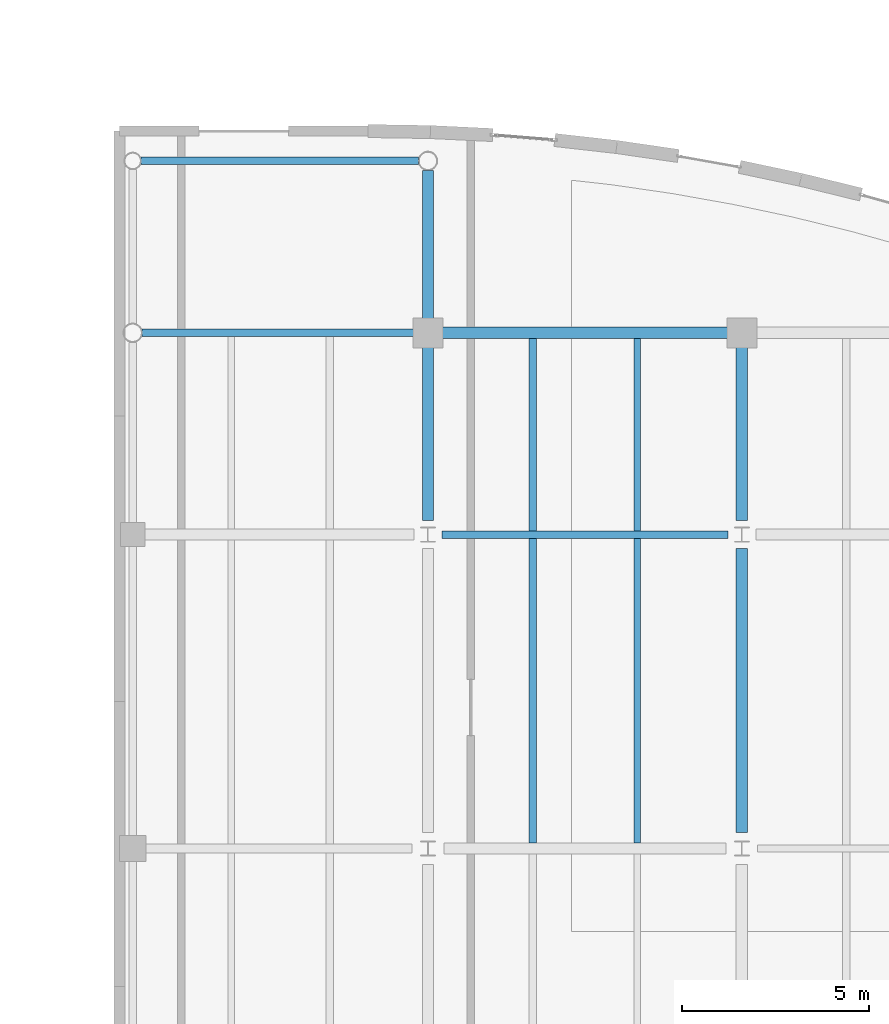
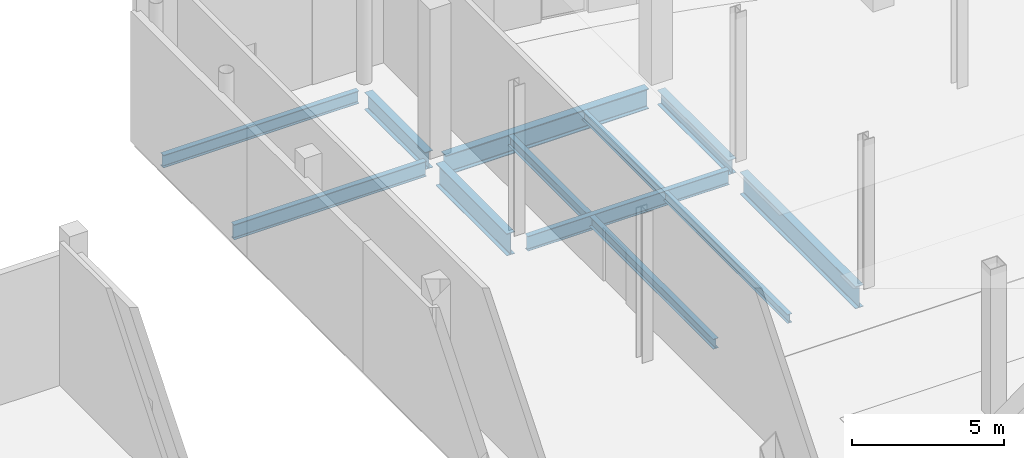
# One storey, part 24 of 85: 12 beams.
"""IFC4 building model written with IfcOpenShell, lengths in metres."""

from ifc_helpers import new_model, si_unit, direction, frame, origin, origin_2d, place, context, subcontext, project, spatial, i_section, extrude, material, material_profile, profile_set, type_object, element, save


model = new_model("IFC4")

# Units and contexts
model_context = context("Model", 3, precision=1e-05, world=origin(), true_north=direction((0.0, 1.0)))
body_context = subcontext(model_context, "Body", "Model", "MODEL_VIEW")
ifc_project = project(units=[si_unit("LENGTHUNIT", "METRE"), si_unit("AREAUNIT", "SQUARE_METRE"), si_unit("VOLUMEUNIT", "CUBIC_METRE"), si_unit("PLANEANGLEUNIT", "RADIAN"), si_unit("MASSUNIT", "GRAM", prefix="KILO"), si_unit("THERMODYNAMICTEMPERATUREUNIT", "KELVIN")], contexts=[model_context])

# Site, building, storey
site_placement = place(None, origin())
site = spatial("IfcSite", under=ifc_project, at=site_placement, CompositionType="ELEMENT")
building_placement = place(site_placement, origin())
building = spatial("IfcBuilding", under=site, at=building_placement, Name="Lustrewick Department Store", CompositionType="ELEMENT")
storey_placement = place(building_placement, origin())
storey = spatial("IfcBuildingStorey", under=building, at=storey_placement, Name="L01", CompositionType="ELEMENT", Elevation=0.0)

# Beams
ifc_material_1 = material(Name="Structural steel Q355B", Category="steel")
ifc_material_profile_1 = material_profile(ifc_material_1, i_section(OverallWidth=0.199951171875, OverallDepth=0.39990234375, WebThickness=0.008056640625, FlangeThickness=0.012939453125, FilletRadius=0.013916015625, at=origin_2d()), Name="HN 400x200x8x13")
ifc_profile_set_1 = profile_set([ifc_material_profile_1], Name="Structural steel Q355B")
beam_type_1 = type_object("IfcBeamType", Name="B05", PredefinedType="JOIST", material=ifc_profile_set_1)
beam_1_placement = place(storey_placement, frame((120.39990234375, 92.551025390625, -0.469970703125), z_axis=(0.0, 1.0, 0.0), x_axis=(-1.0, 0.0, 0.0)))
element("IfcBeam", 1, at=beam_1_placement, inside=storey, type_object=beam_type_1, Name="L01 V4 Secondary Joist B05", PredefinedType="JOIST", context=body_context, shape_type="SweptSolid", body=[
    extrude(i_section(OverallWidth=0.199951171875, OverallDepth=0.39990234375, WebThickness=0.008056640625, FlangeThickness=0.012939453125, FilletRadius=0.013916015625, at=origin_2d()), origin(), (0.0, 0.0, 1.0), 8.1494140625),
])
beam_2_placement = place(storey_placement, frame((120.39990234375, 100.8994140625, -0.469970703125), z_axis=(0.0, 1.0, 0.0), x_axis=(-1.0, 0.0, 0.0)))
element("IfcBeam", 2, at=beam_2_placement, inside=storey, type_object=beam_type_1, Name="L01 V4 Secondary Joist B05", PredefinedType="JOIST", context=body_context, shape_type="SweptSolid", body=[
    extrude(i_section(OverallWidth=0.199951171875, OverallDepth=0.39990234375, WebThickness=0.008056640625, FlangeThickness=0.012939453125, FilletRadius=0.013916015625, at=origin_2d()), origin(), (0.0, 0.0, 1.0), 5.149658203125),
])
ifc_material_profile_2 = material_profile(ifc_material_1, i_section(OverallWidth=0.175048828125, OverallDepth=0.35009765625, WebThickness=0.007080078125, FlangeThickness=0.010986328125, FilletRadius=0.012939453125, at=origin_2d()), Name="HN 350x175x7x11")
ifc_profile_set_2 = profile_set([ifc_material_profile_2], Name="Structural steel Q355B")
beam_type_2 = type_object("IfcBeamType", Name="B09", PredefinedType="JOIST", material=ifc_profile_set_2)
beam_3_placement = place(storey_placement, frame((123.199951171875, 92.551025390625, -0.445068359375), z_axis=(0.0, 1.0, 0.0), x_axis=(-1.0, 0.0, 0.0)))
element("IfcBeam", 3, at=beam_3_placement, inside=storey, type_object=beam_type_2, Name="L01 V4 Secondary Joist B09", PredefinedType="JOIST", context=body_context, shape_type="SweptSolid", body=[
    extrude(i_section(OverallWidth=0.175048828125, OverallDepth=0.35009765625, WebThickness=0.007080078125, FlangeThickness=0.010986328125, FilletRadius=0.012939453125, at=origin_2d()), origin(), (0.0, 0.0, 1.0), 8.1494140625),
])
beam_4_placement = place(storey_placement, frame((123.199951171875, 100.8994140625, -0.445068359375), z_axis=(0.0, 1.0, 0.0), x_axis=(-1.0, 0.0, 0.0)))
element("IfcBeam", 4, at=beam_4_placement, inside=storey, type_object=beam_type_2, Name="L01 V4 Secondary Joist B09", PredefinedType="JOIST", context=body_context, shape_type="SweptSolid", body=[
    extrude(i_section(OverallWidth=0.175048828125, OverallDepth=0.35009765625, WebThickness=0.007080078125, FlangeThickness=0.010986328125, FilletRadius=0.012939453125, at=origin_2d()), origin(), (0.0, 0.0, 1.0), 5.149658203125),
])
ifc_material_2 = material(Name="Structural steel Q355C", Category="steel")
ifc_material_profile_3 = material_profile(ifc_material_2, i_section(OverallWidth=0.299072265625, OverallDepth=0.889892578125, WebThickness=0.014892578125, FlangeThickness=0.02294921875, FilletRadius=0.02392578125, at=origin_2d()), Name="HN 890x299x15x23")
ifc_profile_set_3 = profile_set([ifc_material_profile_3], Name="Structural steel Q355C")
beam_type_3 = type_object("IfcBeamType", Name="G03", PredefinedType="BEAM", material=ifc_profile_set_3)
beam_5_placement = place(storey_placement, frame((117.60009765625, 101.175048828125, -0.715087890625), z_axis=(0.0, 1.0, 0.0), x_axis=(-1.0, 0.0, 0.0)))
element("IfcBeam", 5, at=beam_5_placement, inside=storey, type_object=beam_type_3, Name="L01 V4 Girder G03", PredefinedType="BEAM", context=body_context, shape_type="SweptSolid", body=[
    extrude(i_section(OverallWidth=0.299072265625, OverallDepth=0.889892578125, WebThickness=0.014892578125, FlangeThickness=0.02294921875, FilletRadius=0.02392578125, at=origin_2d()), origin(), (0.0, 0.0, 1.0), 4.675048828125),
])
beam_6_placement = place(storey_placement, frame((126.0, 92.824951171875, -0.715087890625), z_axis=(0.0, 1.0, 0.0), x_axis=(-1.0, 0.0, 0.0)))
element("IfcBeam", 6, at=beam_6_placement, inside=storey, type_object=beam_type_3, Name="L01 V4 Girder G03", PredefinedType="BEAM", context=body_context, shape_type="SweptSolid", body=[
    extrude(i_section(OverallWidth=0.299072265625, OverallDepth=0.889892578125, WebThickness=0.014892578125, FlangeThickness=0.02294921875, FilletRadius=0.02392578125, at=origin_2d()), origin(), (0.0, 0.0, 1.0), 7.60009765625),
])
ifc_material_profile_4 = material_profile(ifc_material_2, i_section(OverallWidth=0.302001953125, OverallDepth=0.80810546875, WebThickness=0.01611328125, FlangeThickness=0.030029296875, FilletRadius=0.02197265625, at=origin_2d()), Name="HN 808x302x16x30")
ifc_profile_set_4 = profile_set([ifc_material_profile_4], Name="Structural steel Q355C")
beam_type_4 = type_object("IfcBeamType", Name="G04", PredefinedType="BEAM", material=ifc_profile_set_4)
beam_7_placement = place(storey_placement, frame((117.949951171875, 106.199951171875, -0.674072265625), z_axis=(1.0, 0.0, 0.0), x_axis=(0.0, 1.0, 0.0)))
element("IfcBeam", 7, at=beam_7_placement, inside=storey, type_object=beam_type_4, Name="L01 V4 Girder G04", PredefinedType="BEAM", context=body_context, shape_type="SweptSolid", body=[
    extrude(i_section(OverallWidth=0.302001953125, OverallDepth=0.80810546875, WebThickness=0.01611328125, FlangeThickness=0.030029296875, FilletRadius=0.02197265625, at=origin_2d()), origin(), (0.0, 0.0, 1.0), 7.699951171875),
])
ifc_material_profile_5 = material_profile(ifc_material_1, i_section(OverallWidth=0.300048828125, OverallDepth=0.69189453125, WebThickness=0.012939453125, FlangeThickness=0.02001953125, FilletRadius=0.02001953125, at=origin_2d()), Name="HN 692x300x13x20")
ifc_profile_set_5 = profile_set([ifc_material_profile_5], Name="Structural steel Q355B")
beam_type_5 = type_object("IfcBeamType", Name="G09", PredefinedType="BEAM", material=ifc_profile_set_5)
beam_8_placement = place(storey_placement, frame((117.60009765625, 106.550048828125, -0.615966796875), z_axis=(0.0, 1.0, 0.0), x_axis=(-1.0, 0.0, 0.0)))
element("IfcBeam", 8, at=beam_8_placement, inside=storey, type_object=beam_type_5, Name="L01 V4 Girder G09", PredefinedType="BEAM", context=body_context, shape_type="SweptSolid", body=[
    extrude(i_section(OverallWidth=0.300048828125, OverallDepth=0.69189453125, WebThickness=0.012939453125, FlangeThickness=0.02001953125, FilletRadius=0.02001953125, at=origin_2d()), origin(), (0.0, 0.0, 1.0), 3.995849609375),
])
ifc_material_profile_6 = material_profile(ifc_material_1, i_section(OverallWidth=0.300048828125, OverallDepth=0.58203125, WebThickness=0.011962890625, FlangeThickness=0.01708984375, FilletRadius=0.02392578125, at=origin_2d()), Name="HM 582x300x12x17")
ifc_profile_set_6 = profile_set([ifc_material_profile_6], Name="Structural steel Q355B")
beam_type_6 = type_object("IfcBeamType", Name="G12", PredefinedType="BEAM", material=ifc_profile_set_6)
beam_9_placement = place(storey_placement, frame((126.0, 101.175048828125, -0.56103515625), z_axis=(0.0, 1.0, 0.0), x_axis=(-1.0, 0.0, 0.0)))
element("IfcBeam", 9, at=beam_9_placement, inside=storey, type_object=beam_type_6, Name="L01 V4 Girder G12", PredefinedType="BEAM", context=body_context, shape_type="SweptSolid", body=[
    extrude(i_section(OverallWidth=0.300048828125, OverallDepth=0.58203125, WebThickness=0.011962890625, FlangeThickness=0.01708984375, FilletRadius=0.02392578125, at=origin_2d()), origin(), (0.0, 0.0, 1.0), 4.675048828125),
])
ifc_material_profile_7 = material_profile(ifc_material_1, i_section(OverallWidth=0.200927734375, OverallDepth=0.60595703125, WebThickness=0.011962890625, FlangeThickness=0.02001953125, FilletRadius=0.01806640625, at=origin_2d()), Name="HN 606x201x12x20")
ifc_profile_set_7 = profile_set([ifc_material_profile_7], Name="Structural steel Q355B")
beam_type_7 = type_object("IfcBeamType", Name="G13", PredefinedType="BEAM", material=ifc_profile_set_7)
beam_10_placement = place(storey_placement, frame((109.9541015625, 106.199951171875, -0.572998046875), z_axis=(1.0, 0.0, 0.0), x_axis=(0.0, 1.0, 0.0)))
element("IfcBeam", 10, at=beam_10_placement, inside=storey, type_object=beam_type_7, Name="L01 V4 Girder G13", PredefinedType="BEAM", context=body_context, shape_type="SweptSolid", body=[
    extrude(i_section(OverallWidth=0.200927734375, OverallDepth=0.60595703125, WebThickness=0.011962890625, FlangeThickness=0.02001953125, FilletRadius=0.01806640625, at=origin_2d()), origin(), (0.0, 0.0, 1.0), 7.2958984375),
])
ifc_material_profile_8 = material_profile(ifc_material_1, i_section(OverallWidth=0.198974609375, OverallDepth=0.595947265625, WebThickness=0.010009765625, FlangeThickness=0.014892578125, FilletRadius=0.01806640625, at=origin_2d()), Name="HN 596x199x10x15")
ifc_profile_set_8 = profile_set([ifc_material_profile_8], Name="Structural steel Q355B")
beam_type_8 = type_object("IfcBeamType", Name="G15", PredefinedType="BEAM", material=ifc_profile_set_8)
beam_11_placement = place(storey_placement, frame((117.97509765625, 100.800048828125, -0.568115234375), z_axis=(1.0, 0.0, 0.0), x_axis=(0.0, 1.0, 0.0)))
element("IfcBeam", 11, at=beam_11_placement, inside=storey, type_object=beam_type_8, Name="L01 V4 Girder G15", PredefinedType="BEAM", context=body_context, shape_type="SweptSolid", body=[
    extrude(i_section(OverallWidth=0.198974609375, OverallDepth=0.595947265625, WebThickness=0.010009765625, FlangeThickness=0.014892578125, FilletRadius=0.01806640625, at=origin_2d()), origin(), (0.0, 0.0, 1.0), 7.64990234375),
])
ifc_material_profile_9 = material_profile(ifc_material_1, i_section(OverallWidth=0.200927734375, OverallDepth=0.506103515625, WebThickness=0.010986328125, FlangeThickness=0.01904296875, FilletRadius=0.01611328125, at=origin_2d()), Name="HN 506x201x11x19")
ifc_profile_set_9 = profile_set([ifc_material_profile_9], Name="Structural steel Q355B")
beam_type_9 = type_object("IfcBeamType", Name="SP01", PredefinedType="SPANDREL", material=ifc_profile_set_9)
beam_12_placement = place(storey_placement, frame((109.928466796875, 110.800048828125, -0.52294921875), z_axis=(1.0, 0.0, 0.0), x_axis=(0.0, 1.0, 0.0)))
element("IfcBeam", 12, at=beam_12_placement, inside=storey, type_object=beam_type_9, Name="L01 V4 Girder SP01", PredefinedType="SPANDREL", context=body_context, shape_type="SweptSolid", body=[
    extrude(i_section(OverallWidth=0.200927734375, OverallDepth=0.506103515625, WebThickness=0.010986328125, FlangeThickness=0.01904296875, FilletRadius=0.01611328125, at=origin_2d()), origin(), (0.0, 0.0, 1.0), 7.41748046875),
])

save(model, "model.ifc")
